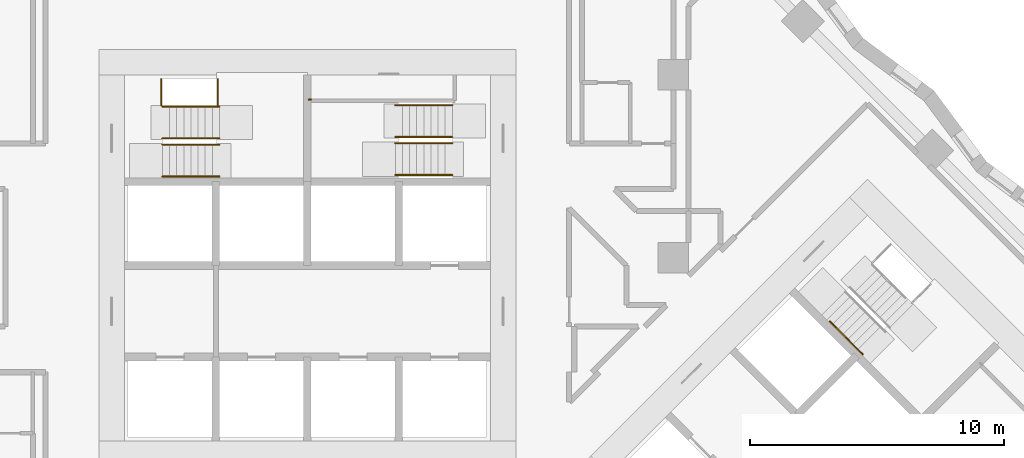
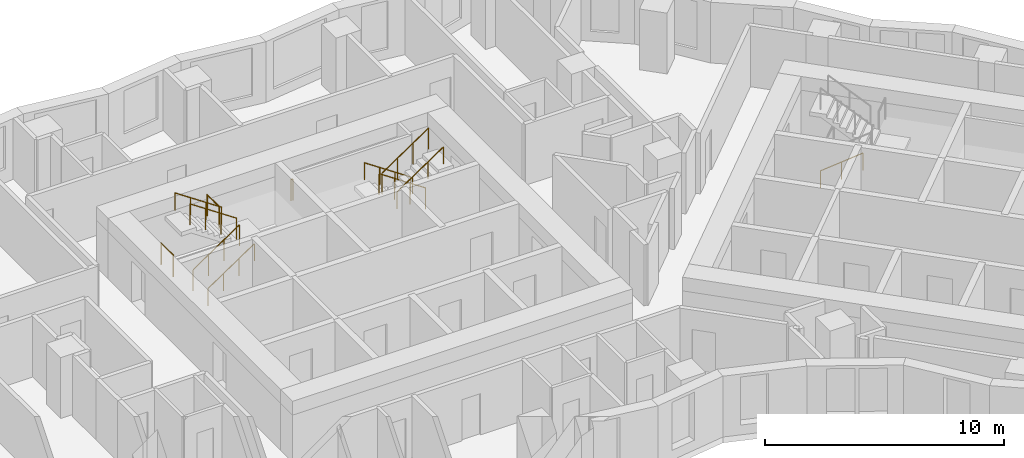
# One storey, part 11 of 12: 12 railings.
"""IFC4 building model written with IfcOpenShell, lengths in metres."""

from ifc_helpers import new_model, si_unit, direction, frame, origin, origin_2d, place, context, subcontext, project, spatial, circle, extrude, material, type_object, element, save


model = new_model("IFC4")

# Units and contexts
model_context = context("Model", 3, precision=1e-05, world=origin(), true_north=direction((0.0, 1.0)))
body_context = subcontext(model_context, "Body", "Model", "MODEL_VIEW")
ifc_project = project(units=[si_unit("LENGTHUNIT", "METRE"), si_unit("AREAUNIT", "SQUARE_METRE"), si_unit("VOLUMEUNIT", "CUBIC_METRE"), si_unit("PLANEANGLEUNIT", "RADIAN"), si_unit("MASSUNIT", "GRAM", prefix="KILO")], contexts=[model_context])

# Site, building, storey
site_placement = place(None, origin())
site = spatial("IfcSite", under=ifc_project, at=site_placement, CompositionType="ELEMENT")
building_placement = place(site_placement, origin())
building = spatial("IfcBuilding", under=site, at=building_placement, Name="Windrow Commons", CompositionType="ELEMENT")
storey_placement = place(building_placement, frame((0.0, 0.0, 50.8)))
storey = spatial("IfcBuildingStorey", under=building, at=storey_placement, Name="L13", CompositionType="ELEMENT", Elevation=50.8)

# Railings
ifc_material_1 = material(Name="Steel S355", Category="steel")
railing_type_1 = type_object("IfcRailingType", Name="Core stair guard 1100", PredefinedType="GUARDRAIL", material=ifc_material_1)
railing_1_placement = place(storey_placement, frame((59.1, 62.05, 0.1889)))
element("IfcRailing", 1, at=railing_1_placement, inside=storey, type_object=railing_type_1, Name="L13 ST-A1 stair guard 1", PredefinedType="GUARDRAIL", context=body_context, shape_type="SweptSolid", body=[
    extrude(circle(Radius=0.024, at=origin_2d()), frame((0.0, 0.0, 1.076), z_axis=(0.8290030985, 0.0, 0.5592440099), x_axis=(0.0, 1.0, 0.0)), (0.0, 0.0, 1.0), 2.702),
    extrude(circle(Radius=0.021, at=origin_2d()), origin(), (0.0, 0.0, 1.0), 1.052),
    extrude(circle(Radius=0.021, at=origin_2d()), frame((0.7467, 0.0, 0.5037)), (0.0, 0.0, 1.0), 1.052),
    extrude(circle(Radius=0.021, at=origin_2d()), frame((1.4933, 0.0, 1.0074)), (0.0, 0.0, 1.0), 1.052),
    extrude(circle(Radius=0.021, at=origin_2d()), frame((2.24, 0.0, 1.5111)), (0.0, 0.0, 1.0), 1.052),
])
railing_2_placement = place(storey_placement, frame((61.34, 62.3, 1.8889)))
element("IfcRailing", 2, at=railing_2_placement, inside=storey, type_object=railing_type_1, Name="L13 ST-A1 stair guard 2", PredefinedType="GUARDRAIL", context=body_context, shape_type="SweptSolid", body=[
    extrude(circle(Radius=0.024, at=origin_2d()), frame((0.0, 0.0, 1.076), z_axis=(-0.8290030985, 0.0, 0.5592440099), x_axis=(0.0, -1.0, 0.0)), (0.0, 0.0, 1.0), 2.702),
    extrude(circle(Radius=0.021, at=origin_2d()), origin(), (0.0, 0.0, 1.0), 1.052),
    extrude(circle(Radius=0.021, at=origin_2d()), frame((-0.7467, 0.0, 0.5037)), (0.0, 0.0, 1.0), 1.052),
    extrude(circle(Radius=0.021, at=origin_2d()), frame((-1.4933, 0.0, 1.0074)), (0.0, 0.0, 1.0), 1.052),
    extrude(circle(Radius=0.021, at=origin_2d()), frame((-2.24, 0.0, 1.5111)), (0.0, 0.0, 1.0), 1.052),
])
for number, where, name in (
    (3, (59.05, 63.6, 0.0), "L13 ST-A1 stair guard 3"),
    (4, (61.27, 63.6, 1.7), "L13 ST-A1 stair guard 4"),
):
    element("IfcRailing", number, at=place(storey_placement, frame(where)), inside=storey, type_object=railing_type_1, Name=name, PredefinedType="GUARDRAIL", context=body_context, shape_type="SweptSolid", body=[
        extrude(circle(Radius=0.024, at=origin_2d()), frame((0.0, 0.0, 1.076), z_axis=(0.0, 1.0, 0.0), x_axis=(-1.0, 0.0, 0.0)), (0.0, 0.0, 1.0), 1.03),
        extrude(circle(Radius=0.021, at=origin_2d()), origin(), (0.0, 0.0, 1.0), 1.052),
        extrude(circle(Radius=0.021, at=origin_2d()), frame((0.0, 1.03, 0.0)), (0.0, 0.0, 1.0), 1.052),
    ])
railing_3_placement = place(storey_placement, frame((70.5, 62.355, 0.1889)))
element("IfcRailing", 5, at=railing_3_placement, inside=storey, type_object=railing_type_1, Name="L13 ST-A2 stair guard 1", PredefinedType="GUARDRAIL", context=body_context, shape_type="SweptSolid", body=[
    extrude(circle(Radius=0.024, at=origin_2d()), frame((0.0, 0.0, 1.076), z_axis=(-0.8290030985, 0.0, 0.5592440099), x_axis=(0.0, -1.0, 0.0)), (0.0, 0.0, 1.0), 2.702),
    extrude(circle(Radius=0.021, at=origin_2d()), origin(), (0.0, 0.0, 1.0), 1.052),
    extrude(circle(Radius=0.021, at=origin_2d()), frame((-0.7467, 0.0, 0.5037)), (0.0, 0.0, 1.0), 1.052),
    extrude(circle(Radius=0.021, at=origin_2d()), frame((-1.4933, 0.0, 1.0074)), (0.0, 0.0, 1.0), 1.052),
    extrude(circle(Radius=0.021, at=origin_2d()), frame((-2.24, 0.0, 1.5111)), (0.0, 0.0, 1.0), 1.052),
])
railing_4_placement = place(storey_placement, frame((68.26, 62.105, 1.8889)))
element("IfcRailing", 6, at=railing_4_placement, inside=storey, type_object=railing_type_1, Name="L13 ST-A2 stair guard 2", PredefinedType="GUARDRAIL", context=body_context, shape_type="SweptSolid", body=[
    extrude(circle(Radius=0.024, at=origin_2d()), frame((0.0, 0.0, 1.076), z_axis=(0.8290030985, 0.0, 0.5592440099), x_axis=(0.0, 1.0, 0.0)), (0.0, 0.0, 1.0), 2.702),
    extrude(circle(Radius=0.021, at=origin_2d()), origin(), (0.0, 0.0, 1.0), 1.052),
    extrude(circle(Radius=0.021, at=origin_2d()), frame((0.7467, 0.0, 0.5037)), (0.0, 0.0, 1.0), 1.052),
    extrude(circle(Radius=0.021, at=origin_2d()), frame((1.4933, 0.0, 1.0074)), (0.0, 0.0, 1.0), 1.052),
    extrude(circle(Radius=0.021, at=origin_2d()), frame((2.24, 0.0, 1.5111)), (0.0, 0.0, 1.0), 1.052),
])
railing_5_placement = place(storey_placement, frame((64.95, 63.825, 1.7)))
element("IfcRailing", 7, at=railing_5_placement, inside=storey, type_object=railing_type_1, Name="L13 ST-A2 stair guard 3", PredefinedType="GUARDRAIL", context=body_context, shape_type="SweptSolid", body=[
    extrude(circle(Radius=0.024, at=origin_2d()), frame((0.0, 0.0, 1.076), z_axis=(-1.0, 0.0, 0.0), x_axis=(0.0, -1.0, 0.0)), (0.0, 0.0, 1.0), 0.1),
    extrude(circle(Radius=0.021, at=origin_2d()), origin(), (0.0, 0.0, 1.0), 1.052),
    extrude(circle(Radius=0.021, at=origin_2d()), frame((-0.1, 0.0, 0.0)), (0.0, 0.0, 1.0), 1.052),
])
ifc_material_2 = material(Name="Steel S355", Category="steel")
railing_type_2 = type_object("IfcRailingType", Name="Core stair handrail 900", PredefinedType="HANDRAIL", material=ifc_material_2)
railing_6_placement = place(storey_placement, frame((59.1, 60.8, 0.1889)))
element("IfcRailing", 8, at=railing_6_placement, inside=storey, type_object=railing_type_2, Name="L13 ST-A1 stair handrail 1", PredefinedType="HANDRAIL", context=body_context, shape_type="SweptSolid", body=[
    extrude(circle(Radius=0.024, at=origin_2d()), frame((0.0, 0.0, 0.876), z_axis=(0.8290030985, 0.0, 0.5592440099), x_axis=(0.0, 1.0, 0.0)), (0.0, 0.0, 1.0), 2.702),
    extrude(circle(Radius=0.021, at=origin_2d()), origin(), (0.0, 0.0, 1.0), 0.852),
    extrude(circle(Radius=0.021, at=origin_2d()), frame((0.7467, 0.0, 0.5037)), (0.0, 0.0, 1.0), 0.852),
    extrude(circle(Radius=0.021, at=origin_2d()), frame((1.4933, 0.0, 1.0074)), (0.0, 0.0, 1.0), 0.852),
    extrude(circle(Radius=0.021, at=origin_2d()), frame((2.24, 0.0, 1.5111)), (0.0, 0.0, 1.0), 0.852),
])
for number, where, name in (
    (9, (61.34, 63.55, 1.8889), "L13 ST-A1 stair handrail 2"),
    (10, (70.5, 63.605, 0.1889), "L13 ST-A2 stair handrail 1"),
):
    element("IfcRailing", number, at=place(storey_placement, frame(where)), inside=storey, type_object=railing_type_2, Name=name, PredefinedType="HANDRAIL", context=body_context, shape_type="SweptSolid", body=[
        extrude(circle(Radius=0.024, at=origin_2d()), frame((0.0, 0.0, 0.876), z_axis=(-0.8290030985, 0.0, 0.5592440099), x_axis=(0.0, -1.0, 0.0)), (0.0, 0.0, 1.0), 2.702),
        extrude(circle(Radius=0.021, at=origin_2d()), origin(), (0.0, 0.0, 1.0), 0.852),
        extrude(circle(Radius=0.021, at=origin_2d()), frame((-0.7467, 0.0, 0.5037)), (0.0, 0.0, 1.0), 0.852),
        extrude(circle(Radius=0.021, at=origin_2d()), frame((-1.4933, 0.0, 1.0074)), (0.0, 0.0, 1.0), 0.852),
        extrude(circle(Radius=0.021, at=origin_2d()), frame((-2.24, 0.0, 1.5111)), (0.0, 0.0, 1.0), 0.852),
    ])
railing_7_placement = place(storey_placement, frame((68.26, 60.855, 1.8889)))
element("IfcRailing", 11, at=railing_7_placement, inside=storey, type_object=railing_type_2, Name="L13 ST-A2 stair handrail 2", PredefinedType="HANDRAIL", context=body_context, shape_type="SweptSolid", body=[
    extrude(circle(Radius=0.024, at=origin_2d()), frame((0.0, 0.0, 0.876), z_axis=(0.8290030985, 0.0, 0.5592440099), x_axis=(0.0, 1.0, 0.0)), (0.0, 0.0, 1.0), 2.702),
    extrude(circle(Radius=0.021, at=origin_2d()), origin(), (0.0, 0.0, 1.0), 0.852),
    extrude(circle(Radius=0.021, at=origin_2d()), frame((0.7467, 0.0, 0.5037)), (0.0, 0.0, 1.0), 0.852),
    extrude(circle(Radius=0.021, at=origin_2d()), frame((1.4933, 0.0, 1.0074)), (0.0, 0.0, 1.0), 0.852),
    extrude(circle(Radius=0.021, at=origin_2d()), frame((2.24, 0.0, 1.5111)), (0.0, 0.0, 1.0), 0.852),
])
railing_8_placement = place(storey_placement, frame((85.3518, 55.1001, 0.4587)))
element("IfcRailing", 12, at=railing_8_placement, inside=storey, type_object=railing_type_2, Name="L13 ST-B1 stair handrail 1", PredefinedType="HANDRAIL", context=body_context, shape_type="SweptSolid", body=[
    extrude(circle(Radius=0.024, at=origin_2d()), frame((0.0, 0.0, 0.876), z_axis=(0.586206706, -0.5861616513, 0.5592639952), x_axis=(0.7070796062, 0.7071339551, 0.0)), (0.0, 0.0, 1.0), 2.2195),
    extrude(circle(Radius=0.021, at=origin_2d()), origin(), (0.0, 0.0, 1.0), 0.852),
    extrude(circle(Radius=0.021, at=origin_2d()), frame((0.6506, -0.6505, 0.6207)), (0.0, 0.0, 1.0), 0.852),
    extrude(circle(Radius=0.021, at=origin_2d()), frame((1.3011, -1.301, 1.2413)), (0.0, 0.0, 1.0), 0.852),
])

save(model, "model.ifc")
